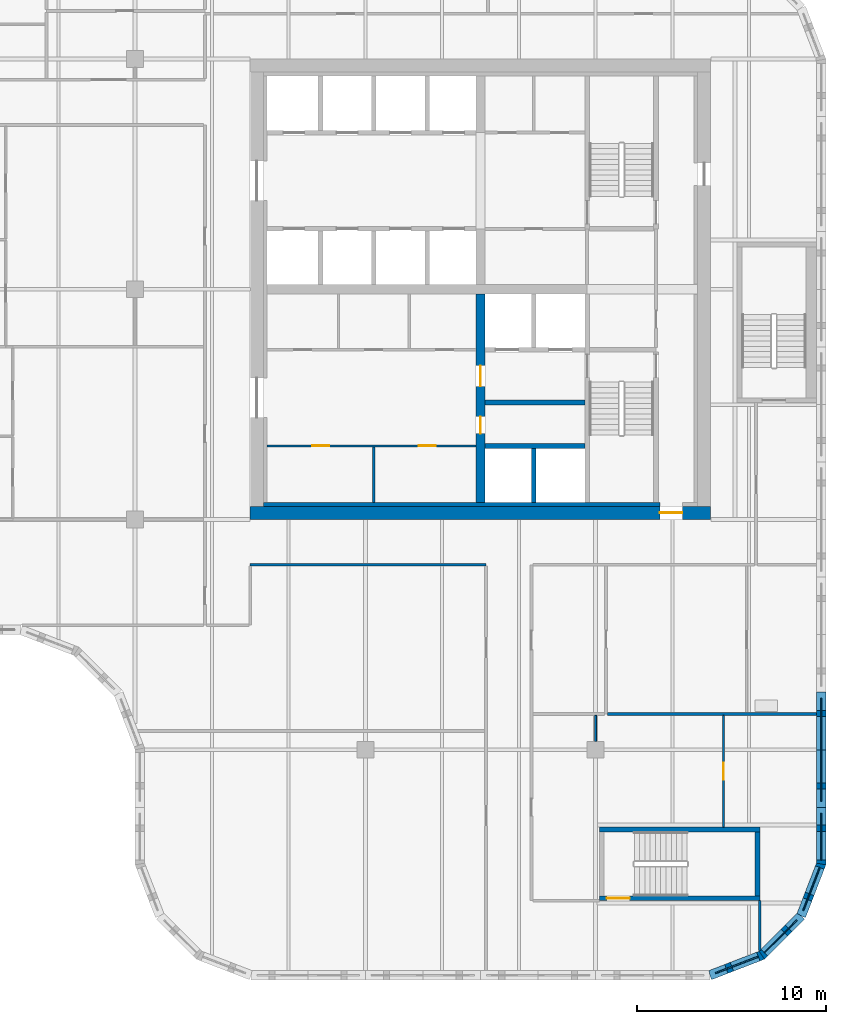
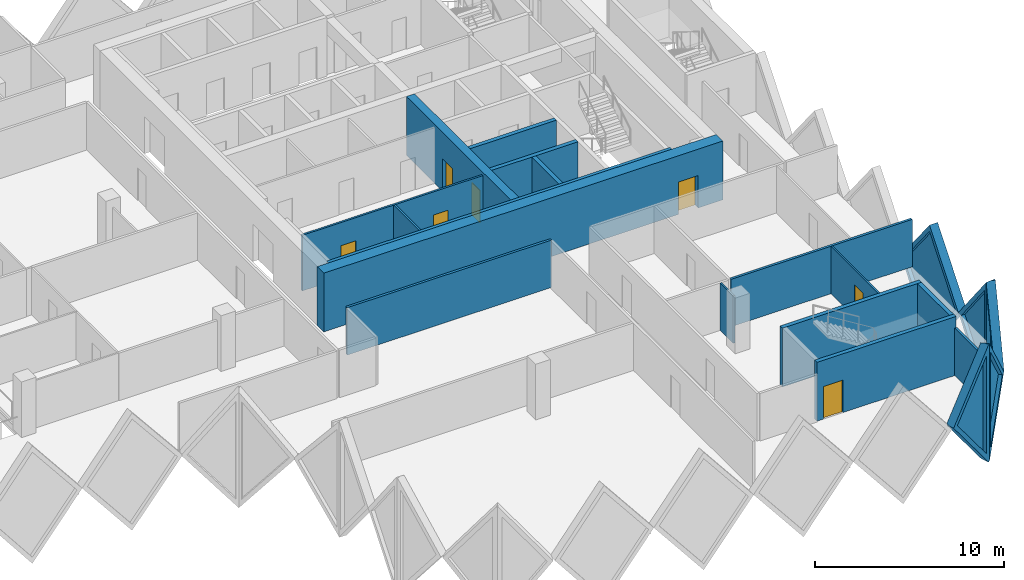
# One storey, part 5 of 12: 21 walls, 7 doors, 5 plates, 12 openings.
"""IFC4 building model written with IfcOpenShell, lengths in metres."""

from ifc_helpers import new_model, si_unit, direction, frame, frame_2d, origin, place, context, subcontext, project, spatial, polyline, rectangle, outline, extrude, faceted_brep, source, transform, mapped, material, layer, layer_set, type_object, element, fill, save


model = new_model("IFC4")

# Units and contexts
model_context = context("Model", 3, precision=1e-05, world=origin(), true_north=direction((0.0, 1.0)))
body_context = subcontext(model_context, "Body", "Model", "MODEL_VIEW")
ifc_project = project(units=[si_unit("LENGTHUNIT", "METRE"), si_unit("AREAUNIT", "SQUARE_METRE"), si_unit("VOLUMEUNIT", "CUBIC_METRE"), si_unit("PLANEANGLEUNIT", "RADIAN"), si_unit("MASSUNIT", "GRAM", prefix="KILO")], contexts=[model_context])

# Site, building, storey
site_placement = place(None, origin())
site = spatial("IfcSite", under=ifc_project, at=site_placement, CompositionType="ELEMENT")
building_placement = place(site_placement, origin())
building = spatial("IfcBuilding", under=site, at=building_placement, Name="Tessera Gate Towers", CompositionType="ELEMENT")
storey_placement = place(building_placement, frame((0.0, 0.0, 124.0)))
storey = spatial("IfcBuildingStorey", under=building, at=storey_placement, Name="L30", CompositionType="ELEMENT", Elevation=124.0)

# Walls
ifc_material_1 = material(Name="Concrete C40/50", Category="concrete")
ifc_layer_1 = layer(ifc_material_1, 0.25)
ifc_layer_set_1 = layer_set([ifc_layer_1], Name="CORE ENCLOSURE WALL 250")
wall_type_1 = type_object("IfcWallType", Name="CORE ENCLOSURE WALL 250", PredefinedType="SOLIDWALL", material=ifc_layer_set_1)
for number, where, z_axis, x_axis, name in (
    (1, (42.949951171875, 28.300048828125, 0.0), (0.0, 0.0, 1.0), (1.0, 0.0, 0.0), "L30 shaft and stair enclosure wall"),
    (2, (42.949951171875, 30.60009765625, 0.0), (0.0, 0.0, 1.0), (1.0, 0.0, 0.0), "L30 shaft and stair enclosure wall"),
):
    element("IfcWall", number, at=place(storey_placement, frame(where, z_axis=z_axis, x_axis=x_axis)), inside=storey, type_object=wall_type_1, Name=name, PredefinedType="SOLIDWALL", context=body_context, shape_type="SweptSolid", body=[
        extrude(rectangle(XDim=5.275146484375, YDim=0.25, at=frame_2d((2.6376953125, 0.0))), origin(), (0.0, 0.0, 1.0), 3.800048828125),
    ])
wall_1_placement = place(storey_placement, frame((45.52490234375, 25.300048828125, 0.0), z_axis=(0.0, 0.0, 1.0), x_axis=(0.0, 1.0, 0.0)))
element("IfcWall", 3, at=wall_1_placement, inside=storey, type_object=wall_type_1, Name="L30 shaft and stair enclosure wall", PredefinedType="SOLIDWALL", context=body_context, shape_type="SweptSolid", body=[
    extrude(rectangle(XDim=2.875, YDim=0.25, at=frame_2d((1.4375, 0.0))), origin(), (0.0, 0.0, 1.0), 3.800048828125),
])

# Wall, opening, door
wall_2_placement = place(storey_placement, frame((57.5, 4.324951171875, 0.0), z_axis=(0.0, 0.0, 1.0), x_axis=(-1.0, 0.0, 0.0)))
wall_2 = element("IfcWall", 4, at=wall_2_placement, inside=storey, type_object=wall_type_1, Name="L30 ST4 enclosure wall", PredefinedType="SOLIDWALL", context=body_context, shape_type="SweptSolid", body=[
    extrude(rectangle(XDim=8.5, YDim=0.25, at=frame_2d((4.25, 0.0))), origin(), (0.0, 0.0, 1.0), 3.800048828125),
])
shared_shape_1 = source(origin(), body_context, "Body", "SweptSolid", [
    extrude(rectangle(XDim=1.199951171875, YDim=2.10009765625, at=frame_2d((0.60009765625, 1.050048828125))), frame((0.0, 0.135009765625, 0.0), z_axis=(0.0, -1.0, 0.0), x_axis=(1.0, 0.0, 0.0)), (0.0, 0.0, 1.0), 0.27001953125),
])
opening_1_placement = place(wall_2_placement, frame((6.89990234375, 0.0, 0.0)))
opening_1 = element("IfcOpeningElement", 5, at=opening_1_placement, cuts=wall_2, Name="Opening SD-ST4-1", PredefinedType="OPENING", context=body_context, shape_type="MappedRepresentation", body=[
    mapped(shared_shape_1, transform((0.0, 0.0, 0.0), scale=1.0)),
])
ifc_material_2 = material(Name="Hollow steel fire door", Category="steel")
door_type_1 = type_object("IfcDoorType", Name="CORE DOOR SD 1200x2100", OperationType="NOTDEFINED", PredefinedType="DOOR", material=ifc_material_2)
shared_shape_2 = source(origin(), body_context, "Body", "SweptSolid", [
    extrude(rectangle(XDim=1.199951171875, YDim=2.10009765625, at=frame_2d((0.60009765625, 1.050048828125))), frame((0.0, 0.02490234375, 0.0), z_axis=(0.0, -1.0, 0.0), x_axis=(1.0, 0.0, 0.0)), (0.0, 0.0, 1.0), 0.050048828125),
])
door_1_placement = place(opening_1_placement, origin())
door_1 = element("IfcDoor", 6, at=door_1_placement, inside=storey, type_object=door_type_1, Name="Stair door", OperationType="SINGLE_SWING_RIGHT", OverallHeight=2.10009765625, OverallWidth=1.199951171875, PredefinedType="DOOR", context=body_context, shape_type="MappedRepresentation", body=[
    mapped(shared_shape_2, transform((0.0, 0.0, 0.0), scale=1.0)),
])
fill(opening_1, door_1)

# Walls
wall_3_placement = place(storey_placement, frame((49.0, 7.97509765625, 0.0), z_axis=(0.0, 0.0, 1.0), x_axis=(1.0, 0.0, 0.0)))
element("IfcWall", 7, at=wall_3_placement, inside=storey, type_object=wall_type_1, Name="L30 ST4 enclosure wall", PredefinedType="SOLIDWALL", context=body_context, shape_type="SweptSolid", body=[
    extrude(rectangle(XDim=8.5, YDim=0.25, at=frame_2d((4.25, 0.0))), origin(), (0.0, 0.0, 1.0), 3.800048828125),
])
wall_4_placement = place(storey_placement, frame((57.375, 7.85009765625, 0.0), z_axis=(0.0, 0.0, 1.0), x_axis=(0.0, -1.0, 0.0)))
element("IfcWall", 8, at=wall_4_placement, inside=storey, type_object=wall_type_1, Name="L30 ST4 enclosure wall", PredefinedType="SOLIDWALL", context=body_context, shape_type="SweptSolid", body=[
    extrude(rectangle(XDim=3.400146484375, YDim=0.25, at=frame_2d((1.7001953125, 0.0))), origin(), (0.0, 0.0, 1.0), 3.800048828125),
])

# Wall, openings, doors
ifc_material_3 = material(Name="Gypsum board on steel studs", Category="steel")
ifc_layer_2 = layer(ifc_material_3, 0.1201171875)
ifc_layer_set_2 = layer_set([ifc_layer_2], Name="CORE PARTITION 120")
wall_type_2 = type_object("IfcWallType", Name="CORE PARTITION 120", PredefinedType="PARTITIONING", material=ifc_layer_set_2)
wall_5_placement = place(storey_placement, frame((42.449951171875, 28.300048828125, 0.0), z_axis=(0.0, 0.0, 1.0), x_axis=(-1.0, 0.0, 0.0)))
wall_5 = element("IfcWall", 9, at=wall_5_placement, inside=storey, type_object=wall_type_2, Name="L30 core partition", PredefinedType="PARTITIONING", context=body_context, shape_type="SweptSolid", body=[
    extrude(rectangle(XDim=11.050048828125, YDim=0.1201171875, at=frame_2d((5.52490234375, 0.0))), origin(), (0.0, 0.0, 1.0), 3.60009765625),
])
shared_shape_3 = source(origin(), body_context, "Body", "SweptSolid", [
    extrude(rectangle(XDim=0.89990234375, YDim=2.10009765625, at=frame_2d((0.449951171875, 1.050048828125))), frame((0.0, 0.070068359375, 0.0), z_axis=(0.0, -1.0, 0.0), x_axis=(1.0, 0.0, 0.0)), (0.0, 0.0, 1.0), 0.14013671875),
])
opening_2_placement = place(wall_5_placement, frame((7.77490234375, 0.0, 0.0)))
opening_2 = element("IfcOpeningElement", 10, at=opening_2_placement, cuts=wall_5, Name="Opening RD-T1-21-07", PredefinedType="OPENING", context=body_context, shape_type="MappedRepresentation", body=[
    mapped(shared_shape_3, transform((0.0, 0.0, 0.0), scale=1.0)),
])
opening_3_placement = place(wall_5_placement, frame((2.125, 0.0, 0.0)))
opening_3 = element("IfcOpeningElement", 11, at=opening_3_placement, cuts=wall_5, Name="Opening RD-T1-21-08", PredefinedType="OPENING", context=body_context, shape_type="MappedRepresentation", body=[
    mapped(shared_shape_3, transform((0.0, 0.0, 0.0), scale=1.0)),
])
ifc_material_4 = material(Name="Hollow steel fire door", Category="steel")
door_type_2 = type_object("IfcDoorType", Name="CORE DOOR RD 900x2100", OperationType="NOTDEFINED", PredefinedType="DOOR", material=ifc_material_4)
shared_shape_4 = source(origin(), body_context, "Body", "SweptSolid", [
    extrude(rectangle(XDim=0.89990234375, YDim=2.10009765625, at=frame_2d((0.449951171875, 1.050048828125))), frame((0.0, 0.02490234375, 0.0), z_axis=(0.0, -1.0, 0.0), x_axis=(1.0, 0.0, 0.0)), (0.0, 0.0, 1.0), 0.050048828125),
])
door_2_placement = place(opening_2_placement, origin())
door_2 = element("IfcDoor", 12, at=door_2_placement, inside=storey, type_object=door_type_2, Name="Core room door", OperationType="SINGLE_SWING_RIGHT", OverallHeight=2.10009765625, OverallWidth=0.89990234375, PredefinedType="DOOR", context=body_context, shape_type="MappedRepresentation", body=[
    mapped(shared_shape_4, transform((0.0, 0.0, 0.0), scale=1.0)),
])
fill(opening_2, door_2)
door_3_placement = place(opening_3_placement, origin())
door_3 = element("IfcDoor", 13, at=door_3_placement, inside=storey, type_object=door_type_2, Name="Core room door", OperationType="SINGLE_SWING_LEFT", OverallHeight=2.10009765625, OverallWidth=0.89990234375, PredefinedType="DOOR", context=body_context, shape_type="MappedRepresentation", body=[
    mapped(shared_shape_4, transform((0.0, 0.0, 0.0), scale=1.0)),
])
fill(opening_3, door_3)

# Wall
wall_6_placement = place(storey_placement, frame((37.050048828125, 25.300048828125, 0.0), z_axis=(0.0, 0.0, 1.0), x_axis=(0.0, 1.0, 0.0)))
element("IfcWall", 14, at=wall_6_placement, inside=storey, type_object=wall_type_2, Name="L30 core partition", PredefinedType="PARTITIONING", context=body_context, shape_type="SweptSolid", body=[
    extrude(rectangle(XDim=2.93994140625, YDim=0.1201171875, at=frame_2d((1.469970703125, 0.0))), origin(), (0.0, 0.0, 1.0), 3.60009765625),
])

# Wall, opening, door
ifc_material_5 = material(Name="Concrete C60/75", Category="concrete")
ifc_layer_3 = layer(ifc_material_5, 0.699951171875)
ifc_layer_set_3 = layer_set([ifc_layer_3], Name="CORE SHEAR WALL 700 C60/75")
wall_type_3 = type_object("IfcWallType", Name="CORE SHEAR WALL 700 C60/75", PredefinedType="SHEAR", material=ifc_layer_set_3)
wall_7_placement = place(storey_placement, frame((54.89990234375, 24.75, 0.0), z_axis=(0.0, 0.0, 1.0), x_axis=(-1.0, 0.0, 0.0)))
wall_7 = element("IfcWall", 15, at=wall_7_placement, inside=storey, type_object=wall_type_3, Name="Core wall S L30", PredefinedType="SHEAR", context=body_context, shape_type="SweptSolid", body=[
    extrude(rectangle(XDim=24.39990234375, YDim=0.699951171875, at=frame_2d((12.199951171875, 0.0))), origin(), (0.0, 0.0, 1.0), 3.800048828125),
])
shared_shape_5 = source(origin(), body_context, "Body", "SweptSolid", [
    extrude(rectangle(XDim=1.199951171875, YDim=2.10009765625, at=frame_2d((0.60009765625, 1.050048828125))), frame((0.0, 0.35986328125, 0.0), z_axis=(0.0, -1.0, 0.0), x_axis=(1.0, 0.0, 0.0)), (0.0, 0.0, 1.0), 0.719970703125),
])
opening_4_placement = place(wall_7_placement, frame((1.5, 0.0, 0.0)))
opening_4 = element("IfcOpeningElement", 16, at=opening_4_placement, cuts=wall_7, Name="Opening ED-T1-21-01", PredefinedType="OPENING", context=body_context, shape_type="MappedRepresentation", body=[
    mapped(shared_shape_5, transform((0.0, 0.0, 0.0), scale=1.0)),
])
ifc_material_6 = material(Name="Hollow steel fire door", Category="steel")
door_type_3 = type_object("IfcDoorType", Name="CORE DOOR ED 1200x2100", OperationType="NOTDEFINED", PredefinedType="DOOR", material=ifc_material_6)
door_4_placement = place(opening_4_placement, origin())
door_4 = element("IfcDoor", 17, at=door_4_placement, inside=storey, type_object=door_type_3, Name="Core exit door", OperationType="SINGLE_SWING_LEFT", OverallHeight=2.10009765625, OverallWidth=1.199951171875, PredefinedType="DOOR", context=body_context, shape_type="MappedRepresentation", body=[
    mapped(shared_shape_2, transform((0.0, 0.0, 0.0), scale=1.0)),
])
fill(opening_4, door_4)

# Wall, openings, doors
ifc_material_7 = material(Name="Concrete C60/75", Category="concrete")
ifc_layer_4 = layer(ifc_material_7, 0.5)
ifc_layer_set_4 = layer_set([ifc_layer_4], Name="CORE SPINE WALL 500 C60/75")
wall_type_4 = type_object("IfcWallType", Name="CORE SPINE WALL 500 C60/75", PredefinedType="SHEAR", material=ifc_layer_set_4)
wall_8_placement = place(storey_placement, frame((42.699951171875, 36.35009765625, 0.0), z_axis=(0.0, 0.0, 1.0), x_axis=(0.0, -1.0, 0.0)))
wall_8 = element("IfcWall", 18, at=wall_8_placement, inside=storey, type_object=wall_type_4, Name="Core wall spine L30", PredefinedType="SHEAR", context=body_context, shape_type="SweptSolid", body=[
    extrude(rectangle(XDim=11.050048828125, YDim=0.5, at=frame_2d((5.52490234375, 0.0))), origin(), (0.0, 0.0, 1.0), 3.800048828125),
])
shared_shape_6 = source(origin(), body_context, "Body", "SweptSolid", [
    extrude(rectangle(XDim=0.89990234375, YDim=2.10009765625, at=frame_2d((0.449951171875, 1.050048828125))), frame((0.0, 0.260009765625, 0.0), z_axis=(0.0, -1.0, 0.0), x_axis=(1.0, 0.0, 0.0)), (0.0, 0.0, 1.0), 0.52001953125),
])
opening_5_placement = place(wall_8_placement, frame((6.5, 0.0, 0.0)))
opening_5 = element("IfcOpeningElement", 19, at=opening_5_placement, cuts=wall_8, Name="Opening RD-T1-21-05", PredefinedType="OPENING", context=body_context, shape_type="MappedRepresentation", body=[
    mapped(shared_shape_6, transform((0.0, 0.0, 0.0), scale=1.0)),
])
shared_shape_7 = source(origin(), body_context, "Body", "SweptSolid", [
    extrude(rectangle(XDim=1.10009765625, YDim=2.10009765625, at=frame_2d((0.550048828125, 1.050048828125))), frame((0.0, 0.260009765625, 0.0), z_axis=(0.0, -1.0, 0.0), x_axis=(1.0, 0.0, 0.0)), (0.0, 0.0, 1.0), 0.52001953125),
])
opening_6_placement = place(wall_8_placement, frame((3.800048828125, 0.0, 0.0)))
opening_6 = element("IfcOpeningElement", 20, at=opening_6_placement, cuts=wall_8, Name="Opening FD-T1-21-06", PredefinedType="OPENING", context=body_context, shape_type="MappedRepresentation", body=[
    mapped(shared_shape_7, transform((0.0, 0.0, 0.0), scale=1.0)),
])
door_5_placement = place(opening_5_placement, origin())
door_5 = element("IfcDoor", 21, at=door_5_placement, inside=storey, type_object=door_type_2, Name="Core room door", OperationType="SINGLE_SWING_RIGHT", OverallHeight=2.10009765625, OverallWidth=0.89990234375, PredefinedType="DOOR", context=body_context, shape_type="MappedRepresentation", body=[
    mapped(shared_shape_4, transform((0.0, 0.0, 0.0), scale=1.0)),
])
fill(opening_5, door_5)
ifc_material_8 = material(Name="Hollow steel fire door", Category="steel")
door_type_4 = type_object("IfcDoorType", Name="CORE DOOR FD 1100x2100", OperationType="NOTDEFINED", PredefinedType="DOOR", material=ifc_material_8)
shared_shape_8 = source(origin(), body_context, "Body", "SweptSolid", [
    extrude(rectangle(XDim=1.10009765625, YDim=2.10009765625, at=frame_2d((0.550048828125, 1.050048828125))), frame((0.0, 0.02490234375, 0.0), z_axis=(0.0, -1.0, 0.0), x_axis=(1.0, 0.0, 0.0)), (0.0, 0.0, 1.0), 0.050048828125),
])
door_6_placement = place(opening_6_placement, origin())
door_6 = element("IfcDoor", 22, at=door_6_placement, inside=storey, type_object=door_type_4, Name="Fire-fighting lobby door", OperationType="SINGLE_SWING_LEFT", OverallHeight=2.10009765625, OverallWidth=1.10009765625, PredefinedType="DOOR", context=body_context, shape_type="MappedRepresentation", body=[
    mapped(shared_shape_8, transform((0.0, 0.0, 0.0), scale=1.0)),
])
fill(opening_6, door_6)

# Walls
ifc_material_9 = material(Name="Concrete C60/75", Category="concrete")
ifc_layer_5 = layer(ifc_material_9, 0.199951171875)
ifc_layer_set_5 = layer_set([ifc_layer_5], Name="CORE WALL THICKENING 200")
wall_type_5 = type_object("IfcWallType", Name="CORE WALL THICKENING 200", PredefinedType="SOLIDWALL", material=ifc_layer_set_5)
wall_9_placement = place(storey_placement, frame((31.199951171875, 25.199951171875, 0.0), z_axis=(0.0, 0.0, 1.0), x_axis=(1.0, 0.0, 0.0)))
element("IfcWall", 23, at=wall_9_placement, inside=storey, type_object=wall_type_5, Name="Core wall thickening S L30", PredefinedType="SOLIDWALL", context=body_context, shape_type="SweptSolid", body=[
    extrude(rectangle(XDim=21.0, YDim=0.199951171875, at=frame_2d((10.5, 0.0))), origin(), (0.0, 0.0, 1.0), 3.800048828125),
])
ifc_material_10 = material(Name="Gypsum board on steel studs, mineral wool", Category="steel")
ifc_layer_6 = layer(ifc_material_10, 0.14990234375)
ifc_layer_set_6 = layer_set([ifc_layer_6], Name="CORRIDOR WALL 150")
wall_type_6 = type_object("IfcWallType", Name="CORRIDOR WALL 150", PredefinedType="PARTITIONING", material=ifc_layer_set_6)
wall_10_placement = place(storey_placement, frame((57.5, 1.55908203125, 0.0), z_axis=(0.0, 0.0, 1.0), x_axis=(0.0, 1.0, 0.0)))
element("IfcWall", 24, at=wall_10_placement, inside=storey, type_object=wall_type_6, Name="T1-L30-PW-002", PredefinedType="PARTITIONING", context=body_context, shape_type="SweptSolid", body=[
    extrude(rectangle(XDim=2.640869140625, YDim=0.14990234375, at=frame_2d((1.3203125, 0.0))), origin(), (0.0, 0.0, 1.0), 3.06689453125),
])
wall_11_placement = place(storey_placement, frame((30.5, 22.0, 0.0), z_axis=(0.0, 0.0, 1.0), x_axis=(1.0, 0.0, 0.0)))
element("IfcWall", 25, at=wall_11_placement, inside=storey, type_object=wall_type_6, Name="T1-L30-PW-017", PredefinedType="PARTITIONING", context=body_context, shape_type="SweptSolid", body=[
    extrude(rectangle(XDim=12.5, YDim=0.14990234375, at=frame_2d((6.25, 0.0))), origin(), (0.0, 0.0, 1.0), 3.06689453125),
])

# Wall, opening, door
ifc_material_11 = material(Name="Gypsum board on steel studs", Category="steel")
ifc_layer_7 = layer(ifc_material_11, 0.10009765625)
ifc_layer_set_7 = layer_set([ifc_layer_7], Name="PARTITION 100")
wall_type_7 = type_object("IfcWallType", Name="PARTITION 100", PredefinedType="PARTITIONING", material=ifc_layer_set_7)
wall_12_placement = place(storey_placement, frame((55.574951171875, 14.02392578125, 0.0), z_axis=(0.0, 0.0, 1.0), x_axis=(0.0, -1.0, 0.0)))
wall_12 = element("IfcWall", 26, at=wall_12_placement, inside=storey, type_object=wall_type_7, Name="T1-L30-PW-005", PredefinedType="PARTITIONING", context=body_context, shape_type="SweptSolid", body=[
    extrude(rectangle(XDim=5.923828125, YDim=0.10009765625, at=frame_2d((2.9619140625, 0.0))), origin(), (0.0, 0.0, 1.0), 3.06689453125),
])
shared_shape_9 = source(origin(), body_context, "Body", "SweptSolid", [
    extrude(rectangle(XDim=0.89990234375, YDim=2.10009765625, at=frame_2d((0.449951171875, 1.050048828125))), frame((0.0, 0.06005859375, 0.0), z_axis=(0.0, -1.0, 0.0), x_axis=(1.0, 0.0, 0.0)), (0.0, 0.0, 1.0), 0.1201171875),
])
opening_7_placement = place(wall_12_placement, frame((2.52392578125, 0.0, 0.0)))
opening_7 = element("IfcOpeningElement", 27, at=opening_7_placement, cuts=wall_12, Name="Opening D190-A11-02", PredefinedType="OPENING", context=body_context, shape_type="MappedRepresentation", body=[
    mapped(shared_shape_9, transform((0.0, 0.0, 0.0), scale=1.0)),
])
ifc_material_12 = material(Name="Timber door leaf in steel frame", Category="steel")
door_type_5 = type_object("IfcDoorType", Name="INTERNAL DOOR 900 NOT RATED", OperationType="NOTDEFINED", PredefinedType="DOOR", material=ifc_material_12)
door_7_placement = place(opening_7_placement, origin())
door_7 = element("IfcDoor", 28, at=door_7_placement, inside=storey, type_object=door_type_5, Name="T1-L30-PD-009", OperationType="SINGLE_SWING_RIGHT", OverallHeight=2.10009765625, OverallWidth=0.89990234375, PredefinedType="DOOR", context=body_context, shape_type="MappedRepresentation", body=[
    mapped(shared_shape_4, transform((0.0, 0.0, 0.0), scale=1.0)),
])
fill(opening_7, door_7)

# Walls
wall_13_placement = place(storey_placement, frame((48.800048828125, 12.64990234375, 0.0), z_axis=(0.0, 0.0, 1.0), x_axis=(0.0, 1.0, 0.0)))
element("IfcWall", 29, at=wall_13_placement, inside=storey, type_object=wall_type_7, Name="T1-L30-PW-006", PredefinedType="PARTITIONING", context=body_context, shape_type="SweptSolid", body=[
    extrude(rectangle(XDim=1.375, YDim=0.10009765625, at=frame_2d((0.6875, 0.0))), origin(), (0.0, 0.0, 1.0), 3.06689453125),
])
ifc_material_13 = material(Name="Gypsum board on steel studs, mineral wool", Category="steel")
ifc_layer_8 = layer(ifc_material_13, 0.14990234375)
ifc_layer_set_8 = layer_set([ifc_layer_8], Name="TENANCY WALL 150")
wall_type_8 = type_object("IfcWallType", Name="TENANCY WALL 150", PredefinedType="PARTITIONING", material=ifc_layer_set_8)
wall_14_placement = place(storey_placement, frame((49.426025390625, 14.10009765625, 0.0), z_axis=(0.0, 0.0, 1.0), x_axis=(1.0, 0.0, 0.0)))
element("IfcWall", 30, at=wall_14_placement, inside=storey, type_object=wall_type_8, Name="T1-L30-PW-010", PredefinedType="PARTITIONING", context=body_context, shape_type="SweptSolid", body=[
    extrude(rectangle(XDim=11.073974609375, YDim=0.14990234375, at=frame_2d((5.537109375, 0.0))), origin(), (0.0, 0.0, 1.0), 3.06689453125),
])

# Wall, opening, plate
ifc_material_14 = material(Name="Precast concrete C60/75 white", Category="concrete")
ifc_layer_9 = layer(ifc_material_14, 0.5)
ifc_layer_set_9 = layer_set([ifc_layer_9], Name="TS1 tessera")
wall_type_9 = type_object("IfcWallType", Name="TS1 tessera", PredefinedType="SOLIDWALL", material=ifc_layer_set_9)
shared_shape_10 = source(origin(), body_context, "Body", "SweptSolid", [
    extrude(outline(polyline([(3.050048828125, 0.0), (6.10009765625, 3.800048828125), (3.050048828125, 7.60009765625), (0.0, 3.800048828125), (3.050048828125, 0.0)])), frame((0.0, 0.25, 0.0), z_axis=(0.0, -1.0, 0.0), x_axis=(1.0, 0.0, 0.0)), (0.0, 0.0, 1.0), 0.5),
])
wall_15_placement = place(storey_placement, frame((60.75, 9.14990234375, -3.800048828125), z_axis=(0.0, 0.0, 1.0), x_axis=(0.0, 1.0, 0.0)))
wall_15 = element("IfcWall", 31, at=wall_15_placement, inside=storey, type_object=wall_type_9, Name="Precast tessera T1 TS1-0487", PredefinedType="SOLIDWALL", context=body_context, shape_type="MappedRepresentation", body=[
    mapped(shared_shape_10, transform((0.0, 0.0, 0.0), scale=1.0)),
])
shared_shape_11 = source(origin(), body_context, "Body", "SweptSolid", [
    extrude(outline(polyline([(3.050048828125, 0.3994140625), (5.779541015625, 3.800048828125), (3.050048828125, 7.20068359375), (0.320556640625, 3.800048828125), (3.050048828125, 0.3994140625)])), frame((0.0, 0.260009765625, 0.0), z_axis=(0.0, -1.0, 0.0), x_axis=(1.0, 0.0, 0.0)), (0.0, 0.0, 1.0), 0.52001953125),
])
opening_8_placement = place(wall_15_placement, origin())
opening_8 = element("IfcOpeningElement", 32, at=opening_8_placement, cuts=wall_15, Name="Opening T1-PL2-0995", PredefinedType="OPENING", context=body_context, shape_type="MappedRepresentation", body=[
    mapped(shared_shape_11, transform((0.0, 0.0, 0.0), scale=1.0)),
])
ifc_material_15 = material(Name="Low-e laminated glass", Category="glass")
ifc_layer_10 = layer(ifc_material_15, 0.06005859375)
ifc_layer_set_10 = layer_set([ifc_layer_10], Name="PL2 rhombic pane")
plate_type = type_object("IfcPlateType", Name="PL2 rhombic pane", PredefinedType="SHEET", material=ifc_layer_set_10)
shared_shape_12 = source(origin(), body_context, "Body", "SweptSolid", [
    extrude(outline(polyline([(3.050048828125, 0.3994140625), (5.779541015625, 3.800048828125), (3.050048828125, 7.20068359375), (0.320556640625, 3.800048828125), (3.050048828125, 0.3994140625)])), frame((0.0, 0.030029296875, 0.0), z_axis=(0.0, -1.0, 0.0), x_axis=(1.0, 0.0, 0.0)), (0.0, 0.0, 1.0), 0.06005859375),
])
plate_1_placement = place(opening_8_placement, origin())
plate_1 = element("IfcPlate", 33, at=plate_1_placement, inside=storey, type_object=plate_type, Name="Glass pane T1 PL2-0995", PredefinedType="SHEET", context=body_context, shape_type="MappedRepresentation", body=[
    mapped(shared_shape_12, transform((0.0, 0.0, 0.0), scale=1.0)),
])
fill(opening_8, plate_1)

ifc_material_16 = material(Name="Precast concrete C60/75 white", Category="concrete")
ifc_layer_11 = layer(ifc_material_16, 0.5)
ifc_layer_set_11 = layer_set([ifc_layer_11], Name="TS3 corner tessera")
wall_type_10 = type_object("IfcWallType", Name="TS3 corner tessera", PredefinedType="SOLIDWALL", material=ifc_layer_set_11)
shared_shape_13 = source(origin(), body_context, "Body", "Brep", [
    faceted_brep([(2.950439453125, -0.25, 0.0), (3.00341796875, -0.25, 0.068359375), (3.00341796875, -0.25, 7.53173828125), (2.950439453125, -0.25, 7.60009765625), (0.0, -0.25, 3.800048828125), (0.046630859375, 0.25, 3.860107421875), (2.897705078125, 0.25, 7.531982421875), (2.897705078125, 0.25, 0.068115234375), (0.046630859375, 0.25, 3.739990234375), (2.950439453125, 0.00048828125, 0.0), (2.950439453125, 0.00048828125, 7.60009765625), (0.0, 0.0, 3.800048828125)], [[[0, 1, 2, 3, 4]], [[5, 6, 7, 8]], [[1, 0, 9]], [[10, 3, 2]], [[6, 5, 11, 4, 3, 10]], [[8, 7, 9, 0, 4, 11]], [[8, 11, 5]], [[1, 9, 7, 6, 10, 2]]]),
])
wall_16_placement = place(storey_placement, frame((54.853515625, 0.25, -3.800048828125), z_axis=(0.0, 0.0, 1.0), x_axis=(0.932970071518, 0.359953949349, 0.0)))
wall_16 = element("IfcWall", 34, at=wall_16_placement, inside=storey, type_object=wall_type_10, Name="Precast corner tessera T1 TS3-0673", PredefinedType="SOLIDWALL", context=body_context, shape_type="MappedRepresentation", body=[
    mapped(shared_shape_13, transform((0.0, 0.0, 0.0), scale=1.0)),
])
shared_shape_14 = source(origin(), body_context, "Body", "SweptSolid", [
    extrude(outline(polyline([(2.75048828125, 6.934814453125), (0.31640625, 3.800048828125), (2.75048828125, 0.665283203125), (2.75048828125, 6.934814453125)])), frame((0.0, 0.260009765625, 0.0), z_axis=(0.0, -1.0, 0.0), x_axis=(1.0, 0.0, 0.0)), (0.0, 0.0, 1.0), 0.52001953125),
])
opening_9_placement = place(wall_16_placement, origin())
opening_9 = element("IfcOpeningElement", 35, at=opening_9_placement, cuts=wall_16, Name="Opening T1-PL2-0991", PredefinedType="OPENING", context=body_context, shape_type="MappedRepresentation", body=[
    mapped(shared_shape_14, transform((0.0, 0.0, 0.0), scale=1.0)),
])
shared_shape_15 = source(origin(), body_context, "Body", "SweptSolid", [
    extrude(outline(polyline([(2.75048828125, 6.934814453125), (0.31640625, 3.800048828125), (2.75048828125, 0.665283203125), (2.75048828125, 6.934814453125)])), frame((0.0, 0.030029296875, 0.0), z_axis=(0.0, -1.0, 0.0), x_axis=(1.0, 0.0, 0.0)), (0.0, 0.0, 1.0), 0.06005859375),
])
plate_2_placement = place(opening_9_placement, origin())
plate_2 = element("IfcPlate", 36, at=plate_2_placement, inside=storey, type_object=plate_type, Name="Glass pane T1 PL2-0991", PredefinedType="SHEET", context=body_context, shape_type="MappedRepresentation", body=[
    mapped(shared_shape_15, transform((0.0, 0.0, 0.0), scale=1.0)),
])
fill(opening_9, plate_2)

shared_shape_16 = source(origin(), body_context, "Body", "Brep", [
    faceted_brep([(0.052978515625, -0.25, 0.0), (2.9970703125, -0.25, 3.800048828125), (0.052978515625, -0.25, 7.60009765625), (0.0, -0.25, 7.531982421875), (0.0, -0.25, 0.068115234375), (0.10595703125, 0.25, 7.53173828125), (2.944091796875, 0.25, 3.8681640625), (2.944091796875, 0.25, 3.73193359375), (0.10595703125, 0.25, 0.068359375), (2.9970703125, 0.000244140625, 3.800048828125), (0.052978515625, 0.0, 0.0), (0.052978515625, 0.0, 7.60009765625)], [[[0, 1, 2, 3, 4]], [[5, 6, 7, 8]], [[8, 7, 9, 1, 0, 10]], [[6, 5, 11, 2, 1, 9]], [[3, 2, 11]], [[10, 0, 4]], [[8, 10, 4, 3, 11, 5]], [[9, 7, 6]]]),
])
wall_17_placement = place(storey_placement, frame((57.56884765625, 1.2744140625, -3.800048828125), z_axis=(0.0, 0.0, 1.0), x_axis=(0.707066050402, 0.707147509625, 0.0)))
wall_17 = element("IfcWall", 37, at=wall_17_placement, inside=storey, type_object=wall_type_10, Name="Precast corner tessera T1 TS3-0674", PredefinedType="SOLIDWALL", context=body_context, shape_type="MappedRepresentation", body=[
    mapped(shared_shape_16, transform((0.0, 0.0, 0.0), scale=1.0)),
])
shared_shape_17 = source(origin(), body_context, "Body", "SweptSolid", [
    extrude(outline(polyline([(0.2529296875, 0.666259765625), (2.680908203125, 3.800048828125), (0.2529296875, 6.933837890625), (0.2529296875, 0.666259765625)])), frame((0.0, 0.260009765625, 0.0), z_axis=(0.0, -1.0, 0.0), x_axis=(1.0, 0.0, 0.0)), (0.0, 0.0, 1.0), 0.52001953125),
])
opening_10_placement = place(wall_17_placement, origin())
opening_10 = element("IfcOpeningElement", 38, at=opening_10_placement, cuts=wall_17, Name="Opening T1-PL2-0992", PredefinedType="OPENING", context=body_context, shape_type="MappedRepresentation", body=[
    mapped(shared_shape_17, transform((0.0, 0.0, 0.0), scale=1.0)),
])
shared_shape_18 = source(origin(), body_context, "Body", "SweptSolid", [
    extrude(outline(polyline([(0.2529296875, 0.666259765625), (2.680908203125, 3.800048828125), (0.2529296875, 6.933837890625), (0.2529296875, 0.666259765625)])), frame((0.0, 0.030029296875, 0.0), z_axis=(0.0, -1.0, 0.0), x_axis=(1.0, 0.0, 0.0)), (0.0, 0.0, 1.0), 0.06005859375),
])
plate_3_placement = place(opening_10_placement, origin())
plate_3 = element("IfcPlate", 39, at=plate_3_placement, inside=storey, type_object=plate_type, Name="Glass pane T1 PL2-0992", PredefinedType="SHEET", context=body_context, shape_type="MappedRepresentation", body=[
    mapped(shared_shape_18, transform((0.0, 0.0, 0.0), scale=1.0)),
])
fill(opening_10, plate_3)

shared_shape_19 = source(origin(), body_context, "Body", "Brep", [
    faceted_brep([(2.950439453125, -0.25, 0.0), (2.9970703125, -0.25, 0.05908203125), (2.9970703125, -0.25, 7.541015625), (2.950439453125, -0.25, 7.60009765625), (0.0, -0.25, 3.800048828125), (0.052978515625, 0.25, 3.8681640625), (2.904052734375, 0.25, 7.540283203125), (2.904052734375, 0.25, 0.059814453125), (0.052978515625, 0.25, 3.73193359375), (2.950439453125, 0.00048828125, 0.0), (2.950439453125, 0.00048828125, 7.60009765625), (0.0, 0.0, 3.800048828125)], [[[0, 1, 2, 3, 4]], [[5, 6, 7, 8]], [[1, 0, 9]], [[10, 3, 2]], [[6, 5, 11, 4, 3, 10]], [[8, 7, 9, 0, 4, 11]], [[8, 11, 5]], [[1, 9, 7, 6, 10, 2]]]),
])
wall_18_placement = place(storey_placement, frame((59.68798828125, 3.393798828125, -3.800048828125), z_axis=(0.0, 0.0, 1.0), x_axis=(0.359972353723, 0.932962970624, 0.0)))
wall_18 = element("IfcWall", 40, at=wall_18_placement, inside=storey, type_object=wall_type_10, Name="Precast corner tessera T1 TS3-0675", PredefinedType="SOLIDWALL", context=body_context, shape_type="MappedRepresentation", body=[
    mapped(shared_shape_19, transform((0.0, 0.0, 0.0), scale=1.0)),
])
opening_11_placement = place(wall_18_placement, origin())
opening_11 = element("IfcOpeningElement", 41, at=opening_11_placement, cuts=wall_18, Name="Opening T1-PL2-0993", PredefinedType="OPENING", context=body_context, shape_type="MappedRepresentation", body=[
    mapped(shared_shape_14, transform((0.0, 0.0, 0.0), scale=1.0)),
])
plate_4_placement = place(opening_11_placement, origin())
plate_4 = element("IfcPlate", 42, at=plate_4_placement, inside=storey, type_object=plate_type, Name="Glass pane T1 PL2-0993", PredefinedType="SHEET", context=body_context, shape_type="MappedRepresentation", body=[
    mapped(shared_shape_15, transform((0.0, 0.0, 0.0), scale=1.0)),
])
fill(opening_11, plate_4)

shared_shape_20 = source(origin(), body_context, "Body", "Brep", [
    faceted_brep([(0.046630859375, -0.25, 0.0), (3.050048828125, -0.25, 3.800048828125), (0.046630859375, -0.25, 7.60009765625), (0.0, -0.25, 7.5400390625), (0.0, -0.25, 0.06005859375), (0.09326171875, 0.25, 7.541259765625), (3.050048828125, 0.25, 3.800048828125), (0.09326171875, 0.25, 0.058837890625), (0.046630859375, 0.0, 0.0), (0.046630859375, 0.0, 7.60009765625)], [[[0, 1, 2, 3, 4]], [[5, 6, 7]], [[7, 6, 1, 0, 8]], [[6, 5, 9, 2, 1]], [[3, 2, 9]], [[8, 0, 4]], [[7, 8, 4, 3, 9, 5]]]),
])
wall_19_placement = place(storey_placement, frame((60.75, 6.099853515625, -3.800048828125), z_axis=(0.0, 0.0, 1.0), x_axis=(0.0, 1.0, 0.0)))
wall_19 = element("IfcWall", 43, at=wall_19_placement, inside=storey, type_object=wall_type_10, Name="Precast corner tessera T1 TS3-0676", PredefinedType="SOLIDWALL", context=body_context, shape_type="MappedRepresentation", body=[
    mapped(shared_shape_20, transform((0.0, 0.0, 0.0), scale=1.0)),
])
shared_shape_21 = source(origin(), body_context, "Body", "SweptSolid", [
    extrude(outline(polyline([(0.24658203125, 0.65625), (2.7314453125, 3.800048828125), (0.24658203125, 6.94384765625), (0.24658203125, 0.65625)])), frame((0.0, 0.260009765625, 0.0), z_axis=(0.0, -1.0, 0.0), x_axis=(1.0, 0.0, 0.0)), (0.0, 0.0, 1.0), 0.52001953125),
])
opening_12_placement = place(wall_19_placement, origin())
opening_12 = element("IfcOpeningElement", 44, at=opening_12_placement, cuts=wall_19, Name="Opening T1-PL2-0994", PredefinedType="OPENING", context=body_context, shape_type="MappedRepresentation", body=[
    mapped(shared_shape_21, transform((0.0, 0.0, 0.0), scale=1.0)),
])
shared_shape_22 = source(origin(), body_context, "Body", "SweptSolid", [
    extrude(outline(polyline([(0.24658203125, 0.65625), (2.7314453125, 3.800048828125), (0.24658203125, 6.94384765625), (0.24658203125, 0.65625)])), frame((0.0, 0.030029296875, 0.0), z_axis=(0.0, -1.0, 0.0), x_axis=(1.0, 0.0, 0.0)), (0.0, 0.0, 1.0), 0.06005859375),
])
plate_5_placement = place(opening_12_placement, origin())
plate_5 = element("IfcPlate", 45, at=plate_5_placement, inside=storey, type_object=plate_type, Name="Glass pane T1 PL2-0994", PredefinedType="SHEET", context=body_context, shape_type="MappedRepresentation", body=[
    mapped(shared_shape_22, transform((0.0, 0.0, 0.0), scale=1.0)),
])
fill(opening_12, plate_5)

save(model, "model.ifc")
